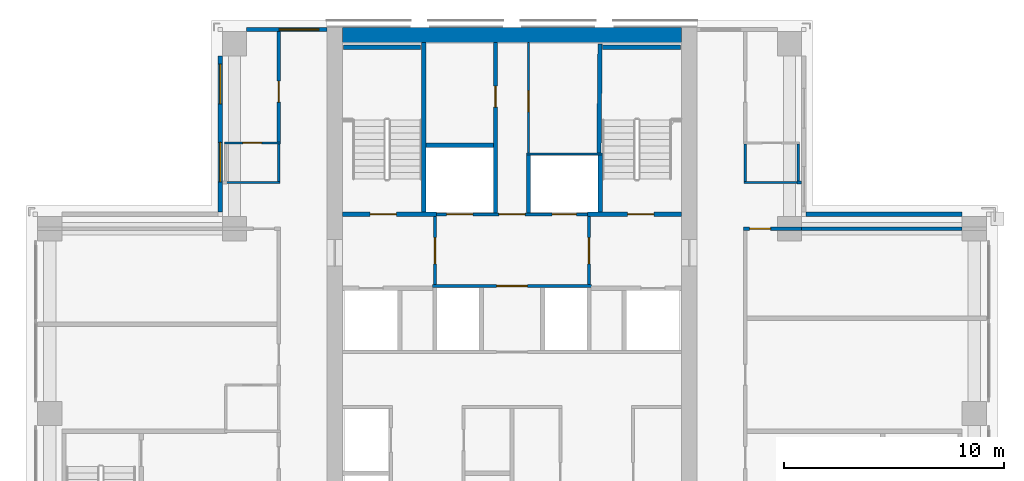
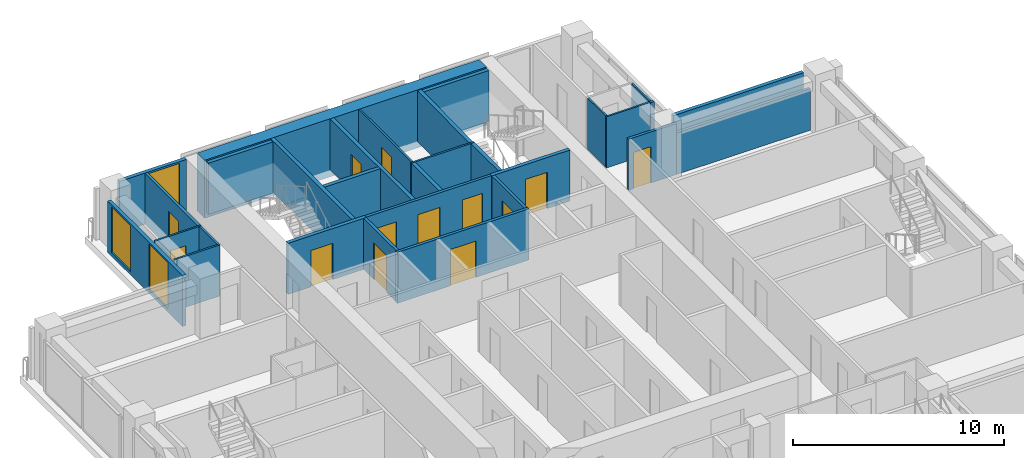
# One storey, part 12 of 16: 30 walls, 13 doors, 3 windows, 16 openings.
"""IFC4 building model written with IfcOpenShell, lengths in metres."""

from ifc_helpers import new_model, si_unit, direction, frame, frame_2d, origin, place, context, subcontext, project, spatial, rectangle, extrude, material, layer, layer_set, type_object, element, fill, save


model = new_model("IFC4")

# Units and contexts
model_context = context("Model", 3, precision=1e-05, world=origin(), true_north=direction((0.0, 1.0)))
body_context = subcontext(model_context, "Body", "Model", "MODEL_VIEW")
ifc_project = project(units=[si_unit("LENGTHUNIT", "METRE"), si_unit("AREAUNIT", "SQUARE_METRE"), si_unit("VOLUMEUNIT", "CUBIC_METRE"), si_unit("PLANEANGLEUNIT", "RADIAN"), si_unit("MASSUNIT", "GRAM", prefix="KILO")], contexts=[model_context])

# Site, building, storey
site_placement = place(None, origin())
site = spatial("IfcSite", under=ifc_project, at=site_placement, CompositionType="ELEMENT")
building_placement = place(site_placement, origin())
building = spatial("IfcBuilding", under=site, at=building_placement, Name="Vermilion Ogive Tower", CompositionType="ELEMENT")
storey_placement = place(building_placement, frame((0.0, 0.0, 167.60009765625)))
storey = spatial("IfcBuildingStorey", under=building, at=storey_placement, Name="L43", CompositionType="ELEMENT", Elevation=167.60009765625)

# Walls
ifc_material_1 = material(Name="Concrete B60", Category="concrete")
ifc_layer_1 = layer(ifc_material_1, 0.699951171875)
ifc_layer_set_1 = layer_set([ifc_layer_1], Name="Core wall 700 B60")
wall_type_1 = type_object("IfcWallType", Name="Core wall 700 B60", PredefinedType="SHEAR", material=ifc_layer_set_1)
wall_1_placement = place(storey_placement, frame((-7.699951171875, 21.39990234375, -0.400146484375), z_axis=(0.0, 0.0, 1.0), x_axis=(1.0, 0.0, 0.0)))
element("IfcWall", 1, at=wall_1_placement, inside=storey, type_object=wall_type_1, Name="L43-CORE-N", PredefinedType="SHEAR", context=body_context, shape_type="SweptSolid", body=[
    extrude(rectangle(XDim=15.39990234375, YDim=0.699951171875, at=frame_2d((7.699951171875, 0.0))), origin(), (0.0, 0.0, 1.0), 3.35009765625),
])
ifc_material_2 = material(Name="Gypsum board partition on steel studs", Category="steel")
ifc_layer_2 = layer(ifc_material_2, 0.10009765625)
ifc_layer_set_2 = layer_set([ifc_layer_2], Name="Partition 100 bath")
wall_type_2 = type_object("IfcWallType", Name="Partition 100 bath", PredefinedType="PARTITIONING", material=ifc_layer_set_2)
for number, where, z_axis, x_axis, name in (
    (2, (-13.050048828125, 14.699951171875, 0.0), (0.0, 0.0, 1.0), (1.0, 0.0, 0.0), "L43-W-W033"),
    (3, (10.550048828125, 14.699951171875, 0.0), (0.0, 0.0, 1.0), (1.0, 0.0, 0.0), "L43-W-W034"),
):
    element("IfcWall", number, at=place(storey_placement, frame(where, z_axis=z_axis, x_axis=x_axis)), inside=storey, type_object=wall_type_2, Name=name, PredefinedType="PARTITIONING", context=body_context, shape_type="SweptSolid", body=[
        extrude(rectangle(XDim=2.5, YDim=0.10009765625, at=frame_2d((1.25, 0.0))), origin(), (0.0, 0.0, 1.0), 2.949951171875),
    ])

# Wall, opening, door
wall_2_placement = place(storey_placement, frame((-13.050048828125, 16.5, 0.0), z_axis=(0.0, 0.0, 1.0), x_axis=(1.0, 0.0, 0.0)))
wall_2 = element("IfcWall", 4, at=wall_2_placement, inside=storey, type_object=wall_type_2, Name="L43-W-W036", PredefinedType="PARTITIONING", context=body_context, shape_type="SweptSolid", body=[
    extrude(rectangle(XDim=2.525146484375, YDim=0.10009765625, at=frame_2d((1.2626953125, 0.0))), origin(), (0.0, 0.0, 1.0), 2.949951171875),
])
opening_1_placement = place(wall_2_placement, frame((0.824951171875, 0.0, 0.0)))
opening_1 = element("IfcOpeningElement", 5, at=opening_1_placement, cuts=wall_2, Name="Opening D3G5007", PredefinedType="OPENING", context=body_context, shape_type="SweptSolid", body=[
    extrude(rectangle(XDim=0.85009765625, YDim=2.10009765625, at=frame_2d((0.425048828125, 1.050048828125))), frame((0.0, 0.06005859375, 0.0), z_axis=(0.0, -1.0, 0.0), x_axis=(1.0, 0.0, 0.0)), (0.0, 0.0, 1.0), 0.1201171875),
])
ifc_material_3 = material(Name="Timber door leaf", Category="wood")
door_type_1 = type_object("IfcDoorType", Name="Bath door 850 x 2100 FD30", OperationType="SINGLE_SWING_LEFT", PredefinedType="DOOR", material=ifc_material_3)
door_1_placement = place(opening_1_placement, origin())
door_1 = element("IfcDoor", 6, at=door_1_placement, inside=storey, type_object=door_type_1, Name="L43-D-D007", OperationType="SINGLE_SWING_RIGHT", OverallHeight=2.10009765625, OverallWidth=0.85009765625, PredefinedType="DOOR", context=body_context, shape_type="SweptSolid", body=[
    extrude(rectangle(XDim=0.85009765625, YDim=2.10009765625, at=frame_2d((0.425048828125, 1.050048828125))), frame((0.0, 0.02490234375, 0.0), z_axis=(0.0, -1.0, 0.0), x_axis=(1.0, 0.0, 0.0)), (0.0, 0.0, 1.0), 0.050048828125),
])
fill(opening_1, door_1)

# Walls
for number, where, z_axis, x_axis, name in (
    (7, (-10.60009765625, 14.75, 0.0), (0.0, 0.0, 1.0), (0.0, 1.0, 0.0), "L43-W-W048"),
    (8, (10.60009765625, 14.75, 0.0), (0.0, 0.0, 1.0), (0.0, 1.0, 0.0), "L43-W-W060"),
):
    element("IfcWall", number, at=place(storey_placement, frame(where, z_axis=z_axis, x_axis=x_axis)), inside=storey, type_object=wall_type_2, Name=name, PredefinedType="PARTITIONING", context=body_context, shape_type="SweptSolid", body=[
        extrude(rectangle(XDim=1.699951171875, YDim=0.10009765625, at=frame_2d((0.85009765625, 0.0))), origin(), (0.0, 0.0, 1.0), 2.949951171875),
    ])
wall_3_placement = place(storey_placement, frame((13.0, 14.77490234375, 0.0), z_axis=(0.0, 0.0, 1.0), x_axis=(0.0, 1.0, 0.0)))
element("IfcWall", 9, at=wall_3_placement, inside=storey, type_object=wall_type_2, Name="L43-W-W063", PredefinedType="PARTITIONING", context=body_context, shape_type="SweptSolid", body=[
    extrude(rectangle(XDim=1.675048828125, YDim=0.10009765625, at=frame_2d((0.83740234375, 0.0))), origin(), (0.0, 0.0, 1.0), 2.949951171875),
])
wall_4_placement = place(storey_placement, frame((0.64990234375, 16.0, 0.0), z_axis=(0.0, 0.0, 1.0), x_axis=(1.0, 0.0, 0.0)))
element("IfcWall", 10, at=wall_4_placement, inside=storey, type_object=wall_type_2, Name="L43-CK-W-W018", PredefinedType="PARTITIONING", context=body_context, shape_type="SweptSolid", body=[
    extrude(rectangle(XDim=3.4501953125, YDim=0.10009765625, at=frame_2d((1.72509765625, 0.0))), origin(), (0.0, 0.0, 1.0), 2.949951171875),
])

# Wall, opening, door
wall_5_placement = place(storey_placement, frame((0.75, 16.050048828125, 0.0), z_axis=(0.0, 0.0, 1.0), x_axis=(0.0, 1.0, 0.0)))
wall_5 = element("IfcWall", 11, at=wall_5_placement, inside=storey, type_object=wall_type_2, Name="L43-CK-W-W030", PredefinedType="PARTITIONING", context=body_context, shape_type="SweptSolid", body=[
    extrude(rectangle(XDim=4.9990234375, YDim=0.10009765625, at=frame_2d((2.49951171875, 0.0))), origin(), (0.0, 0.0, 1.0), 2.949951171875),
])
opening_2_placement = place(wall_5_placement, frame((1.875, 0.0, 0.0)))
opening_2 = element("IfcOpeningElement", 12, at=opening_2_placement, cuts=wall_5, Name="Opening DAA383", PredefinedType="OPENING", context=body_context, shape_type="SweptSolid", body=[
    extrude(rectangle(XDim=0.949951171875, YDim=2.10009765625, at=frame_2d((0.47509765625, 1.050048828125))), frame((0.0, 0.06005859375, 0.0), z_axis=(0.0, -1.0, 0.0), x_axis=(1.0, 0.0, 0.0)), (0.0, 0.0, 1.0), 0.1201171875),
])
ifc_material_4 = material(Name="Timber door leaf", Category="wood")
door_type_2 = type_object("IfcDoorType", Name="Service door 950 x 2100 FD60", OperationType="SINGLE_SWING_LEFT", PredefinedType="DOOR", material=ifc_material_4)
door_2_placement = place(opening_2_placement, origin())
door_2 = element("IfcDoor", 13, at=door_2_placement, inside=storey, type_object=door_type_2, Name="L43-CK-D-D022", OperationType="SINGLE_SWING_LEFT", OverallHeight=2.10009765625, OverallWidth=0.949951171875, PredefinedType="DOOR", context=body_context, shape_type="SweptSolid", body=[
    extrude(rectangle(XDim=0.949951171875, YDim=2.10009765625, at=frame_2d((0.47509765625, 1.050048828125))), frame((0.0, 0.02490234375, 0.0), z_axis=(0.0, -1.0, 0.0), x_axis=(1.0, 0.0, 0.0)), (0.0, 0.0, 1.0), 0.050048828125),
])
fill(opening_2, door_2)

ifc_material_5 = material(Name="Gypsum board partition on steel studs", Category="steel")
ifc_layer_3 = layer(ifc_material_5, 0.14990234375)
ifc_layer_set_3 = layer_set([ifc_layer_3], Name="Partition 150 corridor")
wall_type_3 = type_object("IfcWallType", Name="Partition 150 corridor", PredefinedType="PARTITIONING", material=ifc_layer_set_3)
wall_6_placement = place(storey_placement, frame((10.52490234375, 12.60009765625, 0.0), z_axis=(0.0, 0.0, 1.0), x_axis=(1.0, 0.0, 0.0)))
wall_6 = element("IfcWall", 14, at=wall_6_placement, inside=storey, type_object=wall_type_3, Name="L43-W-W031", PredefinedType="PARTITIONING", context=body_context, shape_type="SweptSolid", body=[
    extrude(rectangle(XDim=2.625, YDim=0.14990234375, at=frame_2d((1.3125, 0.0))), origin(), (0.0, 0.0, 1.0), 2.949951171875),
])
opening_3_placement = place(wall_6_placement, frame((0.275146484375, 0.0, 0.0)))
opening_3 = element("IfcOpeningElement", 15, at=opening_3_placement, cuts=wall_6, Name="Opening D3G5015", PredefinedType="OPENING", context=body_context, shape_type="SweptSolid", body=[
    extrude(rectangle(XDim=0.949951171875, YDim=2.10009765625, at=frame_2d((0.47509765625, 1.050048828125))), frame((0.0, 0.0849609375, 0.0), z_axis=(0.0, -1.0, 0.0), x_axis=(1.0, 0.0, 0.0)), (0.0, 0.0, 1.0), 0.169921875),
])
ifc_material_6 = material(Name="Timber door leaf", Category="wood")
door_type_3 = type_object("IfcDoorType", Name="Unit door 950 x 2100 FD30S", OperationType="SINGLE_SWING_LEFT", PredefinedType="DOOR", material=ifc_material_6)
door_3_placement = place(opening_3_placement, origin())
door_3 = element("IfcDoor", 16, at=door_3_placement, inside=storey, type_object=door_type_3, Name="L43-D-D015", OperationType="SINGLE_SWING_RIGHT", OverallHeight=2.10009765625, OverallWidth=0.949951171875, PredefinedType="DOOR", context=body_context, shape_type="SweptSolid", body=[
    extrude(rectangle(XDim=0.949951171875, YDim=2.10009765625, at=frame_2d((0.47509765625, 1.050048828125))), frame((0.0, 0.02490234375, 0.0), z_axis=(0.0, -1.0, 0.0), x_axis=(1.0, 0.0, 0.0)), (0.0, 0.0, 1.0), 0.050048828125),
])
fill(opening_3, door_3)

# Wall
wall_7_placement = place(storey_placement, frame((12.949951171875, 14.699951171875, 0.0), z_axis=(0.0, 0.0, 1.0), x_axis=(1.0, 0.0, 0.0)))
element("IfcWall", 17, at=wall_7_placement, inside=storey, type_object=wall_type_3, Name="L43-W-W035", PredefinedType="PARTITIONING", context=body_context, shape_type="SweptSolid", body=[
    extrude(rectangle(XDim=0.199951171875, YDim=0.14990234375, at=frame_2d((0.10009765625, 0.0))), origin(), (0.0, 0.0, 1.0), 2.949951171875),
])

# Wall, opening, door
wall_8_placement = place(storey_placement, frame((-10.60009765625, 16.550048828125, 0.0), z_axis=(0.0, 0.0, 1.0), x_axis=(0.0, 1.0, 0.0)))
wall_8 = element("IfcWall", 18, at=wall_8_placement, inside=storey, type_object=wall_type_3, Name="L43-W-W049", PredefinedType="PARTITIONING", context=body_context, shape_type="SweptSolid", body=[
    extrude(rectangle(XDim=5.0, YDim=0.14990234375, at=frame_2d((2.5, 0.0))), origin(), (0.0, 0.0, 1.0), 2.949951171875),
])
opening_4_placement = place(wall_8_placement, frame((1.800048828125, 0.0, 0.0)))
opening_4 = element("IfcOpeningElement", 19, at=opening_4_placement, cuts=wall_8, Name="Opening D3G5006", PredefinedType="OPENING", context=body_context, shape_type="SweptSolid", body=[
    extrude(rectangle(XDim=0.949951171875, YDim=2.10009765625, at=frame_2d((0.47509765625, 1.050048828125))), frame((0.0, 0.0849609375, 0.0), z_axis=(0.0, -1.0, 0.0), x_axis=(1.0, 0.0, 0.0)), (0.0, 0.0, 1.0), 0.169921875),
])
door_4_placement = place(opening_4_placement, origin())
door_4 = element("IfcDoor", 20, at=door_4_placement, inside=storey, type_object=door_type_3, Name="L43-D-D006", OperationType="SINGLE_SWING_RIGHT", OverallHeight=2.10009765625, OverallWidth=0.949951171875, PredefinedType="DOOR", context=body_context, shape_type="SweptSolid", body=[
    extrude(rectangle(XDim=0.949951171875, YDim=2.10009765625, at=frame_2d((0.47509765625, 1.050048828125))), frame((0.0, 0.02490234375, 0.0), z_axis=(0.0, -1.0, 0.0), x_axis=(1.0, 0.0, 0.0)), (0.0, 0.0, 1.0), 0.050048828125),
])
fill(opening_4, door_4)

wall_9_placement = place(storey_placement, frame((-3.60009765625, 10.0, 0.0), z_axis=(0.0, 0.0, 1.0), x_axis=(1.0, 0.0, 0.0)))
wall_9 = element("IfcWall", 21, at=wall_9_placement, inside=storey, type_object=wall_type_3, Name="L43-CK-W-W014", PredefinedType="PARTITIONING", context=body_context, shape_type="SweptSolid", body=[
    extrude(rectangle(XDim=7.2001953125, YDim=0.14990234375, at=frame_2d((3.60009765625, 0.0))), origin(), (0.0, 0.0, 1.0), 2.949951171875),
])
opening_5_placement = place(wall_9_placement, frame((2.900146484375, 0.0, 0.0)))
opening_5 = element("IfcOpeningElement", 22, at=opening_5_placement, cuts=wall_9, Name="Opening DAA374", PredefinedType="OPENING", context=body_context, shape_type="SweptSolid", body=[
    extrude(rectangle(XDim=1.39990234375, YDim=2.10009765625, at=frame_2d((0.699951171875, 1.050048828125))), frame((0.0, 0.0849609375, 0.0), z_axis=(0.0, -1.0, 0.0), x_axis=(1.0, 0.0, 0.0)), (0.0, 0.0, 1.0), 0.169921875),
])
ifc_material_7 = material(Name="Timber door leaf", Category="wood")
door_type_4 = type_object("IfcDoorType", Name="Lobby door 1400 x 2100 FD60S", OperationType="SINGLE_SWING_LEFT", PredefinedType="DOOR", material=ifc_material_7)
door_5_placement = place(opening_5_placement, origin())
door_5 = element("IfcDoor", 23, at=door_5_placement, inside=storey, type_object=door_type_4, Name="L43-CK-D-D017", OperationType="SINGLE_SWING_RIGHT", OverallHeight=2.10009765625, OverallWidth=1.39990234375, PredefinedType="DOOR", context=body_context, shape_type="SweptSolid", body=[
    extrude(rectangle(XDim=1.39990234375, YDim=2.10009765625, at=frame_2d((0.699951171875, 1.050048828125))), frame((0.0, 0.02490234375, 0.0), z_axis=(0.0, -1.0, 0.0), x_axis=(1.0, 0.0, 0.0)), (0.0, 0.0, 1.0), 0.050048828125),
])
fill(opening_5, door_5)

# Wall, openings, doors
wall_10_placement = place(storey_placement, frame((-3.574951171875, 13.25, 0.0), z_axis=(0.0, 0.0, 1.0), x_axis=(1.0, 0.0, 0.0)))
wall_10 = element("IfcWall", 24, at=wall_10_placement, inside=storey, type_object=wall_type_3, Name="L43-CK-W-W016", PredefinedType="PARTITIONING", context=body_context, shape_type="SweptSolid", body=[
    extrude(rectangle(XDim=7.14990234375, YDim=0.14990234375, at=frame_2d((3.574951171875, 0.0))), origin(), (0.0, 0.0, 1.0), 2.949951171875),
])
opening_6_placement = place(wall_10_placement, frame((0.599853515625, 0.0, 0.0)))
opening_6 = element("IfcOpeningElement", 25, at=opening_6_placement, cuts=wall_10, Name="Opening DAA394", PredefinedType="OPENING", context=body_context, shape_type="SweptSolid", body=[
    extrude(rectangle(XDim=1.199951171875, YDim=2.10009765625, at=frame_2d((0.60009765625, 1.050048828125))), frame((0.0, 0.0849609375, 0.0), z_axis=(0.0, -1.0, 0.0), x_axis=(1.0, 0.0, 0.0)), (0.0, 0.0, 1.0), 0.169921875),
])
opening_7_placement = place(wall_10_placement, frame((5.39990234375, 0.0, 0.0)))
opening_7 = element("IfcOpeningElement", 26, at=opening_7_placement, cuts=wall_10, Name="Opening DAA393", PredefinedType="OPENING", context=body_context, shape_type="SweptSolid", body=[
    extrude(rectangle(XDim=1.10009765625, YDim=2.10009765625, at=frame_2d((0.550048828125, 1.050048828125))), frame((0.0, 0.0849609375, 0.0), z_axis=(0.0, -1.0, 0.0), x_axis=(1.0, 0.0, 0.0)), (0.0, 0.0, 1.0), 0.169921875),
])
opening_8_placement = place(wall_10_placement, frame((2.974853515625, 0.0, 0.0)))
opening_8 = element("IfcOpeningElement", 27, at=opening_8_placement, cuts=wall_10, Name="Opening DAA375", PredefinedType="OPENING", context=body_context, shape_type="SweptSolid", body=[
    extrude(rectangle(XDim=1.199951171875, YDim=2.10009765625, at=frame_2d((0.60009765625, 1.050048828125))), frame((0.0, 0.0849609375, 0.0), z_axis=(0.0, -1.0, 0.0), x_axis=(1.0, 0.0, 0.0)), (0.0, 0.0, 1.0), 0.169921875),
])
ifc_material_8 = material(Name="Stainless steel", Category="steel")
door_type_5 = type_object("IfcDoorType", Name="Lift landing door 1100 x 2100", OperationType="SLIDING_TO_LEFT", PredefinedType="DOOR", material=ifc_material_8)
door_6_placement = place(opening_7_placement, origin())
door_6 = element("IfcDoor", 28, at=door_6_placement, inside=storey, type_object=door_type_5, Name="L43-CK-D-D019", OperationType="SLIDING_TO_LEFT", OverallHeight=2.10009765625, OverallWidth=1.10009765625, PredefinedType="DOOR", context=body_context, shape_type="SweptSolid", body=[
    extrude(rectangle(XDim=1.10009765625, YDim=2.10009765625, at=frame_2d((0.550048828125, 1.050048828125))), frame((0.0, 0.02490234375, 0.0), z_axis=(0.0, -1.0, 0.0), x_axis=(1.0, 0.0, 0.0)), (0.0, 0.0, 1.0), 0.050048828125),
])
fill(opening_7, door_6)
ifc_material_9 = material(Name="Stainless steel", Category="steel")
door_type_6 = type_object("IfcDoorType", Name="Lift landing door 1200 x 2100", OperationType="SLIDING_TO_LEFT", PredefinedType="DOOR", material=ifc_material_9)
door_7_placement = place(opening_6_placement, origin())
door_7 = element("IfcDoor", 29, at=door_7_placement, inside=storey, type_object=door_type_6, Name="L43-CK-D-D018", OperationType="SLIDING_TO_RIGHT", OverallHeight=2.10009765625, OverallWidth=1.199951171875, PredefinedType="DOOR", context=body_context, shape_type="SweptSolid", body=[
    extrude(rectangle(XDim=1.199951171875, YDim=2.10009765625, at=frame_2d((0.60009765625, 1.050048828125))), frame((0.0, 0.02490234375, 0.0), z_axis=(0.0, -1.0, 0.0), x_axis=(1.0, 0.0, 0.0)), (0.0, 0.0, 1.0), 0.050048828125),
])
fill(opening_6, door_7)
ifc_material_10 = material(Name="Timber door leaf", Category="wood")
door_type_7 = type_object("IfcDoorType", Name="Service door 1200 x 2100 FD60", OperationType="SINGLE_SWING_LEFT", PredefinedType="DOOR", material=ifc_material_10)
door_8_placement = place(opening_8_placement, origin())
door_8 = element("IfcDoor", 30, at=door_8_placement, inside=storey, type_object=door_type_7, Name="L43-CK-D-D020", OperationType="SINGLE_SWING_RIGHT", OverallHeight=2.10009765625, OverallWidth=1.199951171875, PredefinedType="DOOR", context=body_context, shape_type="SweptSolid", body=[
    extrude(rectangle(XDim=1.199951171875, YDim=2.10009765625, at=frame_2d((0.60009765625, 1.050048828125))), frame((0.0, 0.02490234375, 0.0), z_axis=(0.0, -1.0, 0.0), x_axis=(1.0, 0.0, 0.0)), (0.0, 0.0, 1.0), 0.050048828125),
])
fill(opening_8, door_8)

# Wall, opening, door
wall_11_placement = place(storey_placement, frame((-3.5, 10.074951171875, 0.0), z_axis=(0.0, 0.0, 1.0), x_axis=(0.0, 1.0, 0.0)))
wall_11 = element("IfcWall", 31, at=wall_11_placement, inside=storey, type_object=wall_type_3, Name="L43-CK-W-W024", PredefinedType="PARTITIONING", context=body_context, shape_type="SweptSolid", body=[
    extrude(rectangle(XDim=3.074951171875, YDim=0.14990234375, at=frame_2d((1.53759765625, 0.0))), origin(), (0.0, 0.0, 1.0), 2.949951171875),
])
opening_9_placement = place(wall_11_placement, frame((0.925048828125, 0.0, 0.0)))
opening_9 = element("IfcOpeningElement", 32, at=opening_9_placement, cuts=wall_11, Name="Opening DAA371", PredefinedType="OPENING", context=body_context, shape_type="SweptSolid", body=[
    extrude(rectangle(XDim=1.199951171875, YDim=2.10009765625, at=frame_2d((0.60009765625, 1.050048828125))), frame((0.0, 0.0849609375, 0.0), z_axis=(0.0, -1.0, 0.0), x_axis=(1.0, 0.0, 0.0)), (0.0, 0.0, 1.0), 0.169921875),
])
ifc_material_11 = material(Name="Timber door leaf", Category="wood")
door_type_8 = type_object("IfcDoorType", Name="Lobby door 1200 x 2100 FD60S", OperationType="SINGLE_SWING_LEFT", PredefinedType="DOOR", material=ifc_material_11)
door_9_placement = place(opening_9_placement, origin())
door_9 = element("IfcDoor", 33, at=door_9_placement, inside=storey, type_object=door_type_8, Name="L43-CK-D-D023", OperationType="SINGLE_SWING_RIGHT", OverallHeight=2.10009765625, OverallWidth=1.199951171875, PredefinedType="DOOR", context=body_context, shape_type="SweptSolid", body=[
    extrude(rectangle(XDim=1.199951171875, YDim=2.10009765625, at=frame_2d((0.60009765625, 1.050048828125))), frame((0.0, 0.02490234375, 0.0), z_axis=(0.0, -1.0, 0.0), x_axis=(1.0, 0.0, 0.0)), (0.0, 0.0, 1.0), 0.050048828125),
])
fill(opening_9, door_9)

wall_12_placement = place(storey_placement, frame((3.5, 10.074951171875, 0.0), z_axis=(0.0, 0.0, 1.0), x_axis=(0.0, 1.0, 0.0)))
wall_12 = element("IfcWall", 34, at=wall_12_placement, inside=storey, type_object=wall_type_3, Name="L43-CK-W-W034", PredefinedType="PARTITIONING", context=body_context, shape_type="SweptSolid", body=[
    extrude(rectangle(XDim=3.074951171875, YDim=0.14990234375, at=frame_2d((1.53759765625, 0.0))), origin(), (0.0, 0.0, 1.0), 2.949951171875),
])
opening_10_placement = place(wall_12_placement, frame((0.925048828125, 0.0, 0.0)))
opening_10 = element("IfcOpeningElement", 35, at=opening_10_placement, cuts=wall_12, Name="Opening DAA372", PredefinedType="OPENING", context=body_context, shape_type="SweptSolid", body=[
    extrude(rectangle(XDim=1.199951171875, YDim=2.10009765625, at=frame_2d((0.60009765625, 1.050048828125))), frame((0.0, 0.0849609375, 0.0), z_axis=(0.0, -1.0, 0.0), x_axis=(1.0, 0.0, 0.0)), (0.0, 0.0, 1.0), 0.169921875),
])
door_10_placement = place(opening_10_placement, origin())
door_10 = element("IfcDoor", 36, at=door_10_placement, inside=storey, type_object=door_type_8, Name="L43-CK-D-D024", OperationType="SINGLE_SWING_LEFT", OverallHeight=2.10009765625, OverallWidth=1.199951171875, PredefinedType="DOOR", context=body_context, shape_type="SweptSolid", body=[
    extrude(rectangle(XDim=1.199951171875, YDim=2.10009765625, at=frame_2d((0.60009765625, 1.050048828125))), frame((0.0, 0.02490234375, 0.0), z_axis=(0.0, -1.0, 0.0), x_axis=(1.0, 0.0, 0.0)), (0.0, 0.0, 1.0), 0.050048828125),
])
fill(opening_10, door_10)

# Walls
wall_13_placement = place(storey_placement, frame((13.14990234375, 12.60009765625, 0.0), z_axis=(0.0, 0.0, 1.0), x_axis=(1.0, 0.0, 0.0)))
element("IfcWall", 37, at=wall_13_placement, inside=storey, type_object=wall_type_3, Name="L43-W-W031-h1", PredefinedType="PARTITIONING", context=body_context, shape_type="SweptSolid", body=[
    extrude(rectangle(XDim=7.300048828125, YDim=0.14990234375, at=frame_2d((3.64990234375, 0.0))), origin(), (0.0, 0.0, 1.0), 2.39990234375),
])
ifc_material_12 = material(Name="Gypsum board partition on steel studs", Category="steel")
ifc_layer_4 = layer(ifc_material_12, 0.199951171875)
ifc_layer_set_4 = layer_set([ifc_layer_4], Name="Partition 200 party")
wall_type_4 = type_object("IfcWallType", Name="Partition 200 party", PredefinedType="PARTITIONING", material=ifc_layer_set_4)
wall_14_placement = place(storey_placement, frame((-3.89990234375, 16.39990234375, 0.0), z_axis=(0.0, 0.0, 1.0), x_axis=(1.0, 0.0, 0.0)))
element("IfcWall", 38, at=wall_14_placement, inside=storey, type_object=wall_type_4, Name="L43-CK-W-W019", PredefinedType="PARTITIONING", context=body_context, shape_type="SweptSolid", body=[
    extrude(rectangle(XDim=3.0498046875, YDim=0.199951171875, at=frame_2d((1.52490234375, 0.0))), origin(), (0.0, 0.0, 1.0), 2.949951171875),
])

# Wall, opening, door
wall_15_placement = place(storey_placement, frame((-0.75, 13.324951171875, 0.0), z_axis=(0.0, 0.0, 1.0), x_axis=(0.0, 1.0, 0.0)))
wall_15 = element("IfcWall", 39, at=wall_15_placement, inside=storey, type_object=wall_type_4, Name="L43-CK-W-W027", PredefinedType="PARTITIONING", context=body_context, shape_type="SweptSolid", body=[
    extrude(rectangle(XDim=7.72412109375, YDim=0.199951171875, at=frame_2d((3.862060546875, 0.0))), origin(), (0.0, 0.0, 1.0), 2.949951171875),
])
opening_11_placement = place(wall_15_placement, frame((4.800048828125, 0.0, 0.0)))
opening_11 = element("IfcOpeningElement", 40, at=opening_11_placement, cuts=wall_15, Name="Opening DAA382", PredefinedType="OPENING", context=body_context, shape_type="SweptSolid", body=[
    extrude(rectangle(XDim=0.949951171875, YDim=2.10009765625, at=frame_2d((0.47509765625, 1.050048828125))), frame((0.0, 0.10986328125, 0.0), z_axis=(0.0, -1.0, 0.0), x_axis=(1.0, 0.0, 0.0)), (0.0, 0.0, 1.0), 0.219970703125),
])
door_11_placement = place(opening_11_placement, origin())
door_11 = element("IfcDoor", 41, at=door_11_placement, inside=storey, type_object=door_type_2, Name="L43-CK-D-D021", OperationType="SINGLE_SWING_RIGHT", OverallHeight=2.10009765625, OverallWidth=0.949951171875, PredefinedType="DOOR", context=body_context, shape_type="SweptSolid", body=[
    extrude(rectangle(XDim=0.949951171875, YDim=2.10009765625, at=frame_2d((0.47509765625, 1.050048828125))), frame((0.0, 0.02490234375, 0.0), z_axis=(0.0, -1.0, 0.0), x_axis=(1.0, 0.0, 0.0)), (0.0, 0.0, 1.0), 0.050048828125),
])
fill(opening_11, door_11)

# Wall
wall_16_placement = place(storey_placement, frame((0.75, 13.324951171875, 0.0), z_axis=(0.0, 0.0, 1.0), x_axis=(0.0, 1.0, 0.0)))
element("IfcWall", 42, at=wall_16_placement, inside=storey, type_object=wall_type_4, Name="L43-CK-W-W029", PredefinedType="PARTITIONING", context=body_context, shape_type="SweptSolid", body=[
    extrude(rectangle(XDim=2.625, YDim=0.199951171875, at=frame_2d((1.3125, 0.0))), origin(), (0.0, 0.0, 1.0), 2.949951171875),
])

# Wall, opening, door
ifc_material_13 = material(Name="Concrete B60", Category="concrete")
ifc_layer_5 = layer(ifc_material_13, 0.199951171875)
ifc_layer_set_5 = layer_set([ifc_layer_5], Name="Stair shaft wall 200 Concrete B60")
wall_type_5 = type_object("IfcWallType", Name="Stair shaft wall 200 Concrete B60", PredefinedType="SOLIDWALL", material=ifc_layer_set_5)
wall_17_placement = place(storey_placement, frame((-7.698974609375, 13.25, 0.0), z_axis=(0.0, 0.0, 1.0), x_axis=(1.0, 0.0, 0.0)))
wall_17 = element("IfcWall", 43, at=wall_17_placement, inside=storey, type_object=wall_type_5, Name="L43-CK-W-W015", PredefinedType="SOLIDWALL", context=body_context, shape_type="SweptSolid", body=[
    extrude(rectangle(XDim=4.27392578125, YDim=0.199951171875, at=frame_2d((2.136962890625, 0.0))), origin(), (0.0, 0.0, 1.0), 2.949951171875),
])
opening_12_placement = place(wall_17_placement, frame((1.2490234375, 0.0, 0.0)))
opening_12 = element("IfcOpeningElement", 44, at=opening_12_placement, cuts=wall_17, Name="Opening DAA384", PredefinedType="OPENING", context=body_context, shape_type="SweptSolid", body=[
    extrude(rectangle(XDim=1.199951171875, YDim=2.10009765625, at=frame_2d((0.60009765625, 1.050048828125))), frame((0.0, 0.10986328125, 0.0), z_axis=(0.0, -1.0, 0.0), x_axis=(1.0, 0.0, 0.0)), (0.0, 0.0, 1.0), 0.219970703125),
])
ifc_material_14 = material(Name="Timber door leaf", Category="wood")
door_type_9 = type_object("IfcDoorType", Name="Stair door 1200 x 2100 FD60S", OperationType="SINGLE_SWING_LEFT", PredefinedType="DOOR", material=ifc_material_14)
door_12_placement = place(opening_12_placement, origin())
door_12 = element("IfcDoor", 45, at=door_12_placement, inside=storey, type_object=door_type_9, Name="L43-CK-D-D012", OperationType="SINGLE_SWING_LEFT", OverallHeight=2.10009765625, OverallWidth=1.199951171875, PredefinedType="DOOR", context=body_context, shape_type="SweptSolid", body=[
    extrude(rectangle(XDim=1.199951171875, YDim=2.10009765625, at=frame_2d((0.60009765625, 1.050048828125))), frame((0.0, 0.02490234375, 0.0), z_axis=(0.0, -1.0, 0.0), x_axis=(1.0, 0.0, 0.0)), (0.0, 0.0, 1.0), 0.050048828125),
])
fill(opening_12, door_12)

wall_18_placement = place(storey_placement, frame((3.425048828125, 13.25, 0.0), z_axis=(0.0, 0.0, 1.0), x_axis=(1.0, 0.0, 0.0)))
wall_18 = element("IfcWall", 46, at=wall_18_placement, inside=storey, type_object=wall_type_5, Name="L43-CK-W-W017", PredefinedType="SOLIDWALL", context=body_context, shape_type="SweptSolid", body=[
    extrude(rectangle(XDim=4.27392578125, YDim=0.199951171875, at=frame_2d((2.136962890625, 0.0))), origin(), (0.0, 0.0, 1.0), 2.949951171875),
])
opening_13_placement = place(wall_18_placement, frame((1.824951171875, 0.0, 0.0)))
opening_13 = element("IfcOpeningElement", 47, at=opening_13_placement, cuts=wall_18, Name="Opening DAA385", PredefinedType="OPENING", context=body_context, shape_type="SweptSolid", body=[
    extrude(rectangle(XDim=1.199951171875, YDim=2.10009765625, at=frame_2d((0.60009765625, 1.050048828125))), frame((0.0, 0.10986328125, 0.0), z_axis=(0.0, -1.0, 0.0), x_axis=(1.0, 0.0, 0.0)), (0.0, 0.0, 1.0), 0.219970703125),
])
door_13_placement = place(opening_13_placement, origin())
door_13 = element("IfcDoor", 48, at=door_13_placement, inside=storey, type_object=door_type_9, Name="L43-CK-D-D014", OperationType="SINGLE_SWING_RIGHT", OverallHeight=2.10009765625, OverallWidth=1.199951171875, PredefinedType="DOOR", context=body_context, shape_type="SweptSolid", body=[
    extrude(rectangle(XDim=1.199951171875, YDim=2.10009765625, at=frame_2d((0.60009765625, 1.050048828125))), frame((0.0, 0.02490234375, 0.0), z_axis=(0.0, -1.0, 0.0), x_axis=(1.0, 0.0, 0.0)), (0.0, 0.0, 1.0), 0.050048828125),
])
fill(opening_13, door_13)

# Walls
wall_19_placement = place(storey_placement, frame((-4.0, 13.35009765625, 0.0), z_axis=(0.0, 0.0, 1.0), x_axis=(0.0, 1.0, 0.0)))
element("IfcWall", 49, at=wall_19_placement, inside=storey, type_object=wall_type_5, Name="L43-CK-W-W022", PredefinedType="SOLIDWALL", context=body_context, shape_type="SweptSolid", body=[
    extrude(rectangle(XDim=7.698974609375, YDim=0.199951171875, at=frame_2d((3.849609375, 0.0))), origin(), (0.0, 0.0, 1.0), 2.949951171875),
])
wall_20_placement = place(storey_placement, frame((4.0, 13.35009765625, 0.0), z_axis=(0.0, 0.0, 1.0), x_axis=(0.0, 1.0, 0.0)))
element("IfcWall", 50, at=wall_20_placement, inside=storey, type_object=wall_type_5, Name="L43-CK-W-W035", PredefinedType="SOLIDWALL", context=body_context, shape_type="SweptSolid", body=[
    extrude(rectangle(XDim=2.599853515625, YDim=0.199951171875, at=frame_2d((1.2998046875, 0.0))), origin(), (0.0, 0.0, 1.0), 2.949951171875),
])
wall_21_placement = place(storey_placement, frame((3.949951171875, 16.050048828125, 0.0), z_axis=(0.0, 0.0, 1.0), x_axis=(0.010112452169, 0.999948867848, 0.0)))
element("IfcWall", 51, at=wall_21_placement, inside=storey, type_object=wall_type_5, Name="L43-CK-W-W036", PredefinedType="SOLIDWALL", context=body_context, shape_type="SweptSolid", body=[
    extrude(rectangle(XDim=4.94921875, YDim=0.199951171875, at=frame_2d((2.474609375, 0.0))), origin(), (0.0, 0.0, 1.0), 2.949951171875),
])
wall_22_placement = place(storey_placement, frame((-7.64990234375, 20.85009765625, 0.0), z_axis=(0.0, 0.0, 1.0), x_axis=(1.0, 0.0, 0.0)))
element("IfcWall", 52, at=wall_22_placement, inside=storey, type_object=wall_type_5, Name="L43-SW-R017-N1", PredefinedType="SOLIDWALL", context=body_context, shape_type="SweptSolid", body=[
    extrude(rectangle(XDim=3.5, YDim=0.199951171875, at=frame_2d((1.75, 0.0))), origin(), (0.0, 0.0, 1.0), 2.949951171875),
])
wall_23_placement = place(storey_placement, frame((4.10009765625, 20.85009765625, 0.0), z_axis=(0.0, 0.0, 1.0), x_axis=(1.0, 0.0, 0.0)))
element("IfcWall", 53, at=wall_23_placement, inside=storey, type_object=wall_type_5, Name="L43-SW-R021-N1", PredefinedType="SOLIDWALL", context=body_context, shape_type="SweptSolid", body=[
    extrude(rectangle(XDim=3.5498046875, YDim=0.199951171875, at=frame_2d((1.77490234375, 0.0))), origin(), (0.0, 0.0, 1.0), 2.949951171875),
])
ifc_material_15 = material(Name="Aluminium window wall framing", Category="aluminium")
ifc_layer_6 = layer(ifc_material_15, 0.199951171875)
ifc_layer_set_6 = layer_set([ifc_layer_6], Name="Window wall")
wall_type_6 = type_object("IfcWallType", Name="Window wall", PredefinedType="STANDARD", material=ifc_layer_set_6)
wall_24_placement = place(storey_placement, frame((20.449951171875, 13.25, 0.0), z_axis=(0.0, 0.0, 1.0), x_axis=(-1.0, 0.0, 0.0)))
element("IfcWall", 54, at=wall_24_placement, inside=storey, type_object=wall_type_6, Name="Window wall X31", PredefinedType="STANDARD", context=body_context, shape_type="SweptSolid", body=[
    extrude(rectangle(XDim=7.099853515625, YDim=0.199951171875, at=frame_2d((3.5498046875, 0.0))), origin(), (0.0, 0.0, 1.0), 2.949951171875),
])

# Wall, opening, window
wall_25_placement = place(storey_placement, frame((-8.39990234375, 21.64990234375, 0.0), z_axis=(0.0, 0.0, 1.0), x_axis=(-1.0, 0.0, 0.0)))
wall_25 = element("IfcWall", 55, at=wall_25_placement, inside=storey, type_object=wall_type_6, Name="Window wall N21", PredefinedType="STANDARD", context=body_context, shape_type="SweptSolid", body=[
    extrude(rectangle(XDim=3.650146484375, YDim=0.199951171875, at=frame_2d((1.8251953125, 0.0))), origin(), (0.0, 0.0, 1.0), 2.949951171875),
])
opening_14_placement = place(wall_25_placement, frame((0.375, 0.0, 0.199951171875)))
opening_14 = element("IfcOpeningElement", 56, at=opening_14_placement, cuts=wall_25, Name="Opening W1-N297", PredefinedType="OPENING", context=body_context, shape_type="SweptSolid", body=[
    extrude(rectangle(XDim=1.800048828125, YDim=2.64990234375, at=frame_2d((0.89990234375, 1.324951171875))), frame((0.0, 0.10986328125, 0.0), z_axis=(0.0, -1.0, 0.0), x_axis=(1.0, 0.0, 0.0)), (0.0, 0.0, 1.0), 0.219970703125),
])
ifc_material_16 = material(Name="Aluminium framed double glazing", Category="aluminium")
window_type = type_object("IfcWindowType", Name="Guest window W1", PartitioningType="SINGLE_PANEL", PredefinedType="WINDOW", material=ifc_material_16)
window_1_placement = place(opening_14_placement, origin())
window_1 = element("IfcWindow", 57, at=window_1_placement, inside=storey, type_object=window_type, Name="Window N297", OverallHeight=2.64990234375, OverallWidth=1.800048828125, PartitioningType="SINGLE_PANEL", PredefinedType="WINDOW", context=body_context, shape_type="SweptSolid", body=[
    extrude(rectangle(XDim=1.800048828125, YDim=2.64990234375, at=frame_2d((0.89990234375, 1.324951171875))), frame((0.0, 0.030029296875, 0.0), z_axis=(0.0, -1.0, 0.0), x_axis=(1.0, 0.0, 0.0)), (0.0, 0.0, 1.0), 0.06005859375),
])
fill(opening_14, window_1)

# Wall, openings, windows
wall_26_placement = place(storey_placement, frame((-13.25, 20.449951171875, 0.0), z_axis=(0.0, 0.0, 1.0), x_axis=(0.0, -1.0, 0.0)))
wall_26 = element("IfcWall", 58, at=wall_26_placement, inside=storey, type_object=wall_type_6, Name="Window wall X51", PredefinedType="STANDARD", context=body_context, shape_type="SweptSolid", body=[
    extrude(rectangle(XDim=7.099853515625, YDim=0.199951171875, at=frame_2d((3.5498046875, 0.0))), origin(), (0.0, 0.0, 1.0), 2.949951171875),
])
opening_15_placement = place(wall_26_placement, frame((3.925048828125, 0.0, 0.199951171875)))
opening_15 = element("IfcOpeningElement", 59, at=opening_15_placement, cuts=wall_26, Name="Opening W1-X503", PredefinedType="OPENING", context=body_context, shape_type="SweptSolid", body=[
    extrude(rectangle(XDim=1.800048828125, YDim=2.64990234375, at=frame_2d((0.89990234375, 1.324951171875))), frame((0.0, 0.10986328125, 0.0), z_axis=(0.0, -1.0, 0.0), x_axis=(1.0, 0.0, 0.0)), (0.0, 0.0, 1.0), 0.219970703125),
])
opening_16_placement = place(wall_26_placement, frame((0.375, 0.0, 0.199951171875)))
opening_16 = element("IfcOpeningElement", 60, at=opening_16_placement, cuts=wall_26, Name="Opening W1-X504", PredefinedType="OPENING", context=body_context, shape_type="SweptSolid", body=[
    extrude(rectangle(XDim=1.800048828125, YDim=2.64990234375, at=frame_2d((0.89990234375, 1.324951171875))), frame((0.0, 0.10986328125, 0.0), z_axis=(0.0, -1.0, 0.0), x_axis=(1.0, 0.0, 0.0)), (0.0, 0.0, 1.0), 0.219970703125),
])
window_2_placement = place(opening_15_placement, origin())
window_2 = element("IfcWindow", 61, at=window_2_placement, inside=storey, type_object=window_type, Name="Window X503", OverallHeight=2.64990234375, OverallWidth=1.800048828125, PartitioningType="SINGLE_PANEL", PredefinedType="WINDOW", context=body_context, shape_type="SweptSolid", body=[
    extrude(rectangle(XDim=1.800048828125, YDim=2.64990234375, at=frame_2d((0.89990234375, 1.324951171875))), frame((0.0, 0.030029296875, 0.0), z_axis=(0.0, -1.0, 0.0), x_axis=(1.0, 0.0, 0.0)), (0.0, 0.0, 1.0), 0.06005859375),
])
fill(opening_15, window_2)
window_3_placement = place(opening_16_placement, origin())
window_3 = element("IfcWindow", 62, at=window_3_placement, inside=storey, type_object=window_type, Name="Window X504", OverallHeight=2.64990234375, OverallWidth=1.800048828125, PartitioningType="SINGLE_PANEL", PredefinedType="WINDOW", context=body_context, shape_type="SweptSolid", body=[
    extrude(rectangle(XDim=1.800048828125, YDim=2.64990234375, at=frame_2d((0.89990234375, 1.324951171875))), frame((0.0, 0.030029296875, 0.0), z_axis=(0.0, -1.0, 0.0), x_axis=(1.0, 0.0, 0.0)), (0.0, 0.0, 1.0), 0.06005859375),
])
fill(opening_16, window_3)

save(model, "model.ifc")
